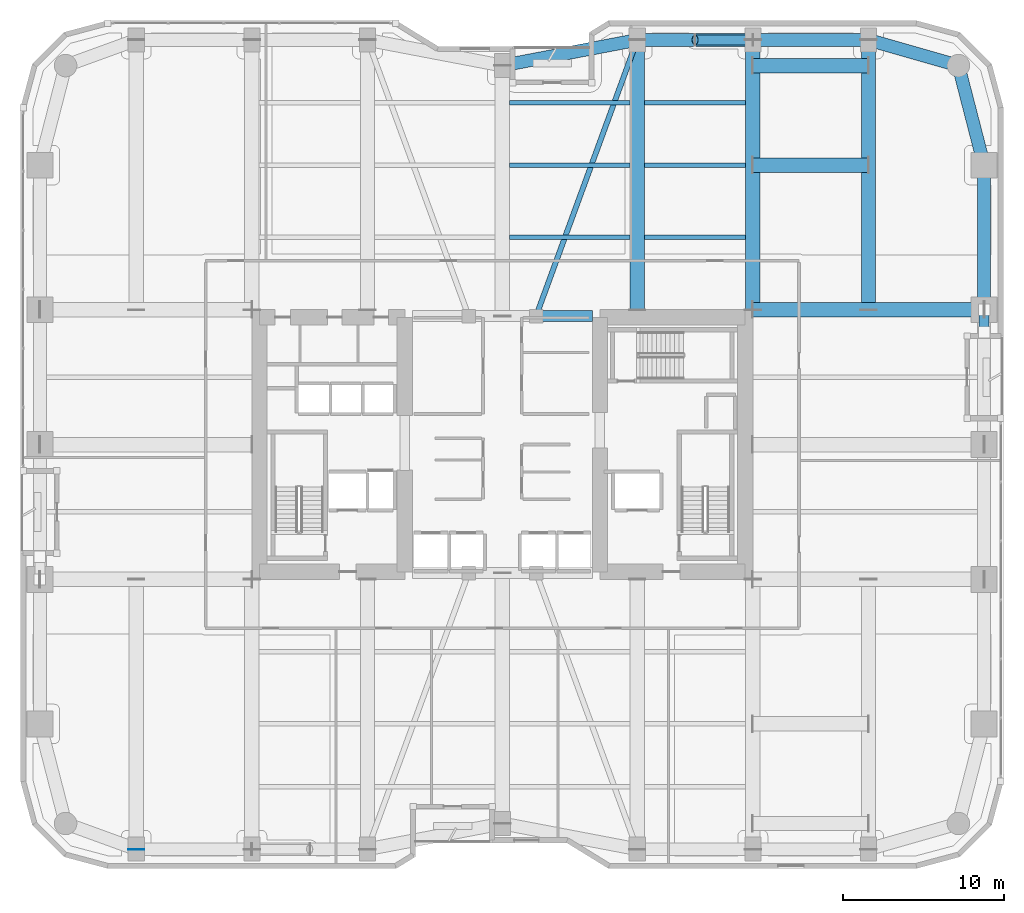
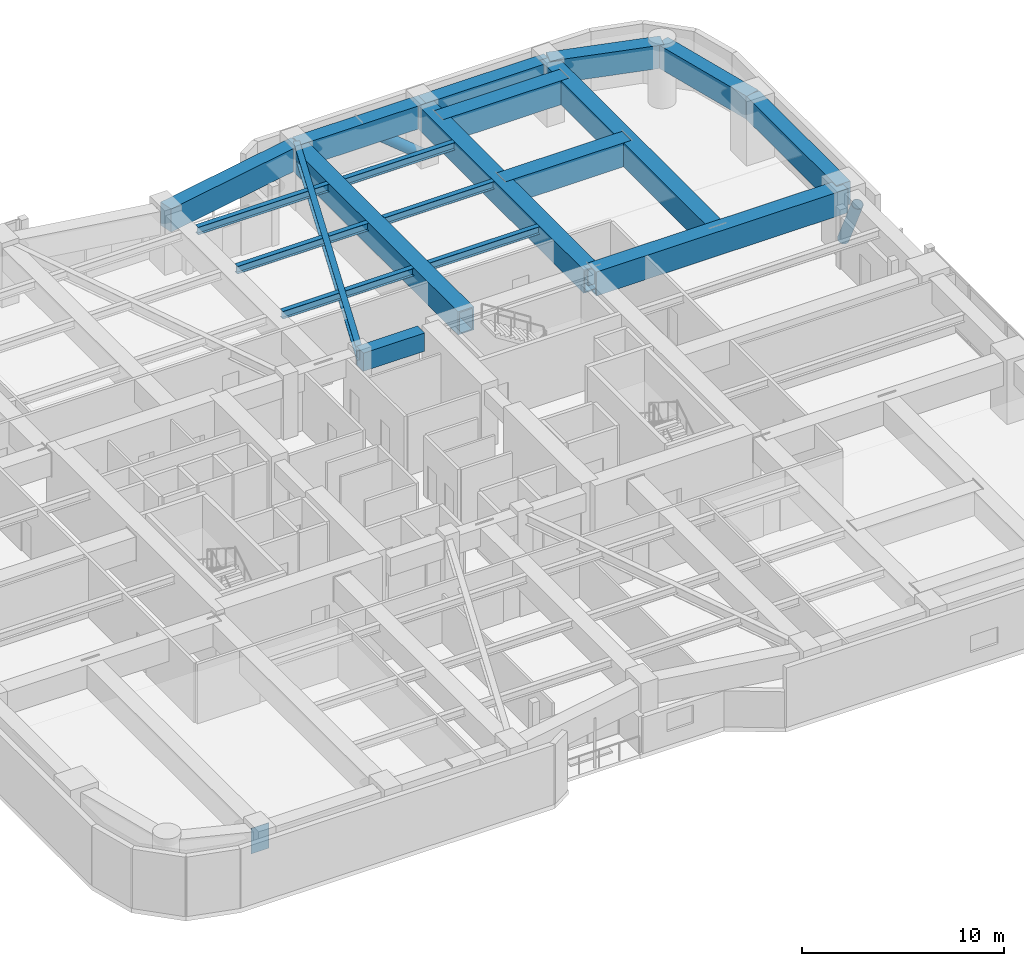
# One storey, part 18 of 28: 20 beams, 2 members, 1 plate.
"""IFC4 building model written with IfcOpenShell, lengths in metres."""

import ifcopenshell
import ifcopenshell.guid

model = None  # the IFC model being written
_history = None  # IfcOwnerHistory: only IFC2X3 demands one
_inside = {}  # id of a spatial element -> (the spatial element, [elements in it])
_under = {}  # id of a project, library or spatial element -> (it, [spatial elements below it])
_declared = {}  # id of a project -> (the project, [libraries it declares])
_typed = {}  # id of a type object -> (the type object, [elements of that type])
_made_of = {}  # id of a material, layer set ... -> (it, [elements and type objects made of it])


def new_model(schema):
    """Start an empty IFC model of exactly this schema.

    Asked for "IFC4X3", IfcOpenShell would pick the latest addendum, in which some entities
    have other attributes; the version numbers below select the first issue.
    IFC2X3 requires an IfcOwnerHistory on every rooted entity: one is made here for all.
    """
    global model, _history
    if schema == "IFC4X3":
        model = ifcopenshell.file(schema_version=(4, 3, 0, 0))
    else:
        model = ifcopenshell.file(schema=schema)
    _inside.clear()
    _under.clear()
    _declared.clear()
    _typed.clear()
    _made_of.clear()
    _history = None
    if model.schema == "IFC2X3":
        org = make("IfcOrganization", Name="unknown")
        user = make(
            "IfcPersonAndOrganization",
            ThePerson=make("IfcPerson", FamilyName="unknown"),
            TheOrganization=org,
        )
        app = make(
            "IfcApplication",
            ApplicationDeveloper=org,
            Version="unknown",
            ApplicationFullName="unknown",
            ApplicationIdentifier="unknown",
        )
        _history = make(
            "IfcOwnerHistory",
            OwningUser=user,
            OwningApplication=app,
            ChangeAction="ADDED",
            CreationDate=0,
        )
    return model


def make(cls, **values):
    """One entity of the class cls with the attributes given. An attribute that is None is left unset."""
    return model.create_entity(
        cls, **{name: value for name, value in values.items() if value is not None}
    )


def rooted(cls, **values):
    """An entity with a GlobalId (a new one), such as an element, a storey or a relation."""
    return make(cls, GlobalId=ifcopenshell.guid.new(), OwnerHistory=_history, **values)


def si_unit(unit_type, name, prefix=None):
    """IfcSIUnit, for example si_unit("LENGTHUNIT", "METRE", prefix="MILLI")."""
    return make("IfcSIUnit", UnitType=unit_type, Prefix=prefix, Name=name)


def assignment(units):
    """IfcUnitAssignment: the units of a project."""
    return None if units is None else make("IfcUnitAssignment", Units=units)


def point(xyz):
    """IfcCartesianPoint."""
    return None if xyz is None else make("IfcCartesianPoint", Coordinates=xyz)


def direction(xyz):
    """IfcDirection."""
    return None if xyz is None else make("IfcDirection", DirectionRatios=xyz)


def frame(location, z_axis=None, x_axis=None):
    """IfcAxis2Placement3D, a coordinate frame: its origin and axes. An axis left out is left unset."""
    return make(
        "IfcAxis2Placement3D",
        Location=point(location),
        Axis=direction(z_axis),
        RefDirection=direction(x_axis),
    )


def frame_2d(location, x_axis=None):
    """IfcAxis2Placement2D, a coordinate frame in the plane: its origin and x axis."""
    return make(
        "IfcAxis2Placement2D", Location=point(location), RefDirection=direction(x_axis)
    )


def origin():
    """The frame at (0, 0, 0) with its axes left unset."""
    return frame((0.0, 0.0, 0.0))


def origin_2d():
    """The frame at (0, 0) in the plane with its x axis left unset."""
    return frame_2d((0.0, 0.0))


def place(relative_to, where):
    """IfcLocalPlacement: puts the frame where relative to a parent placement (None: the world)."""
    return make(
        "IfcLocalPlacement", PlacementRelTo=relative_to, RelativePlacement=where
    )


def context(
    kind, dimensions, precision=None, world=None, true_north=None, identifier=None
):
    """IfcGeometricRepresentationContext, for example the 3D "Model" context."""
    return make(
        "IfcGeometricRepresentationContext",
        ContextIdentifier=identifier,
        ContextType=kind,
        CoordinateSpaceDimension=dimensions,
        Precision=precision,
        WorldCoordinateSystem=world,
        TrueNorth=true_north,
    )


def subcontext(parent, identifier, kind, view, scale=None):
    """IfcGeometricRepresentationSubContext, for example "Body" below "Model"."""
    return make(
        "IfcGeometricRepresentationSubContext",
        ContextIdentifier=identifier,
        ContextType=kind,
        ParentContext=parent,
        TargetScale=scale,
        TargetView=view,
    )


def project(units=None, contexts=None):
    """IfcProject with its units and contexts."""
    return rooted(
        "IfcProject",
        Name="project",
        RepresentationContexts=contexts,
        UnitsInContext=assignment(units),
    )


def spatial(cls, under=None, at=None, **own):
    """A site, building, storey or space (cls), placed at a placement, below another one or the project."""
    s = rooted(cls, ObjectPlacement=at, **own)
    if under is not None:
        _under.setdefault(under.id(), (under, []))[1].append(s)
    return s


def profile(cls, at=None, kind="AREA", **sizes):
    """A parametric profile (cls). Its sizes go by their IFC names, for example OverallWidth=200.0."""
    return make(cls, ProfileType=kind, Position=at, **sizes)


def rectangle(**sizes):
    """IfcRectangleProfileDef."""
    return profile("IfcRectangleProfileDef", **sizes)


def hollow_rectangle(**sizes):
    """IfcRectangleHollowProfileDef."""
    return profile("IfcRectangleHollowProfileDef", **sizes)


def hollow_circle(**sizes):
    """IfcCircleHollowProfileDef."""
    return profile("IfcCircleHollowProfileDef", **sizes)


def i_section(**sizes):
    """IfcIShapeProfileDef."""
    return profile("IfcIShapeProfileDef", **sizes)


def extrude(swept, where, along, depth):
    """IfcExtrudedAreaSolid: the profile swept, set in the frame where, extruded along a direction by depth."""
    return make(
        "IfcExtrudedAreaSolid",
        SweptArea=swept,
        Position=where,
        ExtrudedDirection=direction(along),
        Depth=depth,
    )


def shape(context_of_items, identifier, shape_type, items):
    """IfcShapeRepresentation: the items that make up one representation, for example the "Body"."""
    return make(
        "IfcShapeRepresentation",
        ContextOfItems=context_of_items,
        RepresentationIdentifier=identifier,
        RepresentationType=shape_type,
        Items=items,
    )


def material(Name=None, Category=None):
    """IfcMaterial."""
    return make("IfcMaterial", Name=Name, Category=Category)


def layer(
    of_material, thickness, ventilated=None, Name=None, Category=None, Priority=None
):
    """IfcMaterialLayer: one layer of a wall or slab, of a material (None: an air gap)."""
    return make(
        "IfcMaterialLayer",
        Material=of_material,
        LayerThickness=thickness,
        IsVentilated=ventilated,
        Name=Name,
        Category=Category,
        Priority=Priority,
    )


def layer_set(layers, Name=None):
    """IfcMaterialLayerSet."""
    return make("IfcMaterialLayerSet", MaterialLayers=layers, LayerSetName=Name)


def material_profile(
    of_material, cross_section, Name=None, Category=None, Priority=None
):
    """IfcMaterialProfile: a cross section and its material."""
    return make(
        "IfcMaterialProfile",
        Name=Name,
        Material=of_material,
        Profile=cross_section,
        Priority=Priority,
        Category=Category,
    )


def profile_set(profiles, Name=None, composite=None):
    """IfcMaterialProfileSet."""
    return make(
        "IfcMaterialProfileSet",
        Name=Name,
        MaterialProfiles=profiles,
        CompositeProfile=composite,
    )


def made_of(thing, what):
    """Note that an element or type object is made of a material, layer set ...; save() writes the relation."""
    if what is not None:
        _made_of.setdefault(what.id(), (what, []))[1].append(thing)
    return thing


def type_object(cls, material=None, **own):
    """A type object (cls), such as IfcWallType, which elements share."""
    return made_of(rooted(cls, **own), material)


def element(
    cls,
    number,
    at=None,
    inside=None,
    cuts=None,
    type_object=None,
    material=None,
    context=None,
    identifier="Body",
    shape_type=None,
    held_by="IfcProductDefinitionShape",
    body=None,
    shapes=None,
    **own,
):
    """One element of the class cls, such as IfcWall. Its Tag is "e" and its number.

    at: its placement. inside: the storey or other place that contains it. cuts: it is an
    opening in that element (IfcRelVoidsElement). A single representation is given by context,
    identifier, shape_type and body (its items); several are given by shapes. held_by: the class
    of the entity that holds the representations. save() writes the other relations.
    """
    e = rooted(cls, Tag="e%d" % number, ObjectPlacement=at, **own)
    if body is not None:
        shapes = [shape(context, identifier, shape_type, body)]
    if shapes is not None:
        e.Representation = make(held_by, Representations=shapes)
    if inside is not None:
        _inside.setdefault(inside.id(), (inside, []))[1].append(e)
    if cuts is not None:
        rooted(
            "IfcRelVoidsElement", RelatingBuildingElement=cuts, RelatedOpeningElement=e
        )
    if type_object is not None:
        _typed.setdefault(type_object.id(), (type_object, []))[1].append(e)
    return made_of(e, material)


def aggregate(whole, parts):
    """IfcRelAggregates: a whole, such as a stair, and the parts it consists of."""
    return rooted("IfcRelAggregates", RelatingObject=whole, RelatedObjects=parts)


def save(model, path):
    """Write the relations noted so far, then the file.

    IfcRelAggregates (storeys below a building ...), IfcRelContainedInSpatialStructure (elements
    in a storey), IfcRelDefinesByType, IfcRelAssociatesMaterial and IfcRelDeclares: one each for
    every whole, place, type object, material and project.
    """
    for whole, parts in _under.values():
        aggregate(whole, parts)
    for where, things in _inside.values():
        rooted(
            "IfcRelContainedInSpatialStructure",
            RelatedElements=things,
            RelatingStructure=where,
        )
    for kind, things in _typed.values():
        rooted("IfcRelDefinesByType", RelatedObjects=things, RelatingType=kind)
    for what, things in _made_of.values():
        rooted("IfcRelAssociatesMaterial", RelatedObjects=things, RelatingMaterial=what)
    for by, libraries in _declared.values():
        rooted("IfcRelDeclares", RelatingContext=by, RelatedDefinitions=libraries)
    model.write(path)


model = new_model("IFC4")

# Units and contexts
model_context = context("Model", 3, precision=1e-05, world=origin(), true_north=direction((0.0, 1.0)))
body_context = subcontext(model_context, "Body", "Model", "MODEL_VIEW")
ifc_project = project(units=[si_unit("LENGTHUNIT", "METRE"), si_unit("AREAUNIT", "SQUARE_METRE"), si_unit("VOLUMEUNIT", "CUBIC_METRE"), si_unit("PLANEANGLEUNIT", "RADIAN"), si_unit("MASSUNIT", "GRAM", prefix="KILO")], contexts=[model_context])

# Site, building, storey
site_placement = place(None, origin())
site = spatial("IfcSite", under=ifc_project, at=site_placement, CompositionType="ELEMENT")
building_placement = place(site_placement, origin())
building = spatial("IfcBuilding", under=site, at=building_placement, Name="Kiyonajd Concourse Tower", CompositionType="ELEMENT")
storey_placement = place(building_placement, frame((0.0, 0.0, 76.800048828125)))
storey = spatial("IfcBuildingStorey", under=building, at=storey_placement, Name="L20", CompositionType="ELEMENT", Elevation=76.800048828125)

# Beams
ifc_material_1 = material(Name="Concrete C70/85", Category="concrete")
ifc_material_profile_1 = material_profile(ifc_material_1, rectangle(XDim=0.699951171875, YDim=1.10009765625, at=origin_2d()), Name="RCBM-700x1100")
ifc_profile_set_1 = profile_set([ifc_material_profile_1], Name="Concrete C70/85")
beam_type_1 = type_object("IfcBeamType", Name="BM-COUP-1100", PredefinedType="LINTEL", material=ifc_profile_set_1)
beam_1_placement = place(storey_placement, frame((50.10009765625, 44.0, 3.050048828125), z_axis=(1.0, 0.0, 0.0), x_axis=(0.0, 1.0, 0.0)))
element("IfcBeam", 1, at=beam_1_placement, inside=storey, type_object=beam_type_1, Name="L20 Core Coupling Beam N3", PredefinedType="LINTEL", context=body_context, shape_type="SweptSolid", body=[
    extrude(rectangle(XDim=0.699951171875, YDim=1.10009765625, at=origin_2d()), origin(), (0.0, 0.0, 1.0), 3.5),
])
ifc_material_2 = material(Name="Steel ASTM A992 Grade 50", Category="steel")
ifc_material_profile_2 = material_profile(ifc_material_2, i_section(OverallWidth=0.280029296875, OverallDepth=0.462890625, WebThickness=0.0107421875, FlangeThickness=0.017333984375, at=origin_2d()), Name="W460X113")
ifc_profile_set_2 = profile_set([ifc_material_profile_2], Name="Steel ASTM A992 Grade 50")
beam_type_2 = type_object("IfcBeamType", Name="BM-JST-460A", PredefinedType="JOIST", material=ifc_profile_set_2)
beam_2_placement = place(storey_placement, frame((48.449951171875, 48.89990234375, 3.368408203125), z_axis=(1.0, 0.0, 0.0), x_axis=(0.0, 1.0, 0.0)))
element("IfcBeam", 2, at=beam_2_placement, inside=storey, type_object=beam_type_2, Name="L20 Secondary Floor Joist", PredefinedType="JOIST", context=body_context, shape_type="SweptSolid", body=[
    extrude(i_section(OverallWidth=0.280029296875, OverallDepth=0.462890625, WebThickness=0.0107421875, FlangeThickness=0.017333984375, at=origin_2d()), origin(), (0.0, 0.0, 1.0), 7.5),
])
beam_3_placement = place(storey_placement, frame((56.85009765625, 48.89990234375, 3.368408203125), z_axis=(1.0, 0.0, 0.0), x_axis=(0.0, 1.0, 0.0)))
element("IfcBeam", 3, at=beam_3_placement, inside=storey, type_object=beam_type_2, Name="L20 Secondary Floor Joist", PredefinedType="JOIST", context=body_context, shape_type="SweptSolid", body=[
    extrude(i_section(OverallWidth=0.280029296875, OverallDepth=0.462890625, WebThickness=0.0107421875, FlangeThickness=0.017333984375, at=origin_2d()), origin(), (0.0, 0.0, 1.0), 6.2998046875),
])
beam_4_placement = place(storey_placement, frame((48.449951171875, 53.39990234375, 3.368408203125), z_axis=(1.0, 0.0, 0.0), x_axis=(0.0, 1.0, 0.0)))
element("IfcBeam", 4, at=beam_4_placement, inside=storey, type_object=beam_type_2, Name="L20 Secondary Floor Joist", PredefinedType="JOIST", context=body_context, shape_type="SweptSolid", body=[
    extrude(i_section(OverallWidth=0.280029296875, OverallDepth=0.462890625, WebThickness=0.0107421875, FlangeThickness=0.017333984375, at=origin_2d()), origin(), (0.0, 0.0, 1.0), 7.5),
])
beam_5_placement = place(storey_placement, frame((56.85009765625, 53.39990234375, 3.368408203125), z_axis=(1.0, 0.0, 0.0), x_axis=(0.0, 1.0, 0.0)))
element("IfcBeam", 5, at=beam_5_placement, inside=storey, type_object=beam_type_2, Name="L20 Secondary Floor Joist", PredefinedType="JOIST", context=body_context, shape_type="SweptSolid", body=[
    extrude(i_section(OverallWidth=0.280029296875, OverallDepth=0.462890625, WebThickness=0.0107421875, FlangeThickness=0.017333984375, at=origin_2d()), origin(), (0.0, 0.0, 1.0), 6.2998046875),
])
beam_6_placement = place(storey_placement, frame((48.449951171875, 57.300048828125, 3.368408203125), z_axis=(1.0, 0.0, 0.0), x_axis=(0.0, 1.0, 0.0)))
element("IfcBeam", 6, at=beam_6_placement, inside=storey, type_object=beam_type_2, Name="L20 Secondary Floor Joist", PredefinedType="JOIST", context=body_context, shape_type="SweptSolid", body=[
    extrude(i_section(OverallWidth=0.280029296875, OverallDepth=0.462890625, WebThickness=0.0107421875, FlangeThickness=0.017333984375, at=origin_2d()), origin(), (0.0, 0.0, 1.0), 7.5),
])
beam_7_placement = place(storey_placement, frame((56.85009765625, 57.300048828125, 3.368408203125), z_axis=(1.0, 0.0, 0.0), x_axis=(0.0, 1.0, 0.0)))
element("IfcBeam", 7, at=beam_7_placement, inside=storey, type_object=beam_type_2, Name="L20 Secondary Floor Joist", PredefinedType="JOIST", context=body_context, shape_type="SweptSolid", body=[
    extrude(i_section(OverallWidth=0.280029296875, OverallDepth=0.462890625, WebThickness=0.0107421875, FlangeThickness=0.017333984375, at=origin_2d()), origin(), (0.0, 0.0, 1.0), 6.2998046875),
])
ifc_material_profile_3 = material_profile(ifc_material_2, i_section(OverallWidth=0.326904296875, OverallDepth=0.6220703125, WebThickness=0.015380859375, FlangeThickness=0.0244140625, at=origin_2d()), Name="W610X195")
ifc_profile_set_3 = profile_set([ifc_material_profile_3], Name="Steel ASTM A992 Grade 50")
beam_type_3 = type_object("IfcBeamType", Name="BM-TWR-610A", PredefinedType="BEAM", material=ifc_profile_set_3)
beam_8_placement = place(storey_placement, frame((50.10009765625, 44.0, 3.2890625), z_axis=(0.343925269715, 0.938997022813, 0.0), x_axis=(-0.938997022813, 0.343925269715, 0.0)))
element("IfcBeam", 8, at=beam_8_placement, inside=storey, type_object=beam_type_3, Name="L20 Core Tie Girder", PredefinedType="BEAM", context=body_context, shape_type="SweptSolid", body=[
    extrude(i_section(OverallWidth=0.326904296875, OverallDepth=0.6220703125, WebThickness=0.015380859375, FlangeThickness=0.0244140625, at=origin_2d()), origin(), (0.0, 0.0, 1.0), 18.3173828125),
])
ifc_material_3 = material(Name="Steel ASTM A572 Grade 50", Category="steel")
ifc_material_profile_4 = material_profile(ifc_material_3, hollow_rectangle(XDim=0.89990234375, YDim=1.39990234375, WallThickness=0.070068359375, at=origin_2d()), Name="BOX-1400x900x70")
ifc_profile_set_4 = profile_set([ifc_material_profile_4], Name="Steel ASTM A572 Grade 50")
beam_type_4 = type_object("IfcBeamType", Name="BM-XFER-1400", PredefinedType="BEAM", material=ifc_profile_set_4)
for number, where, z_axis, x_axis, name in (
    (9, (56.39990234375, 44.39990234375, 2.89990234375), (0.0, 1.0, 0.0), (-1.0, 0.0, 0.0), "L20 North Lease Girder"),
    (10, (63.60009765625, 44.39990234375, 2.89990234375), (0.0, 1.0, 0.0), (-1.0, 0.0, 0.0), "L20 North Lease Girder"),
):
    element("IfcBeam", number, at=place(storey_placement, frame(where, z_axis=z_axis, x_axis=x_axis)), inside=storey, type_object=beam_type_4, Name=name, PredefinedType="BEAM", context=body_context, shape_type="SweptSolid", body=[
        extrude(hollow_rectangle(XDim=0.89990234375, YDim=1.39990234375, WallThickness=0.070068359375, at=origin_2d()), origin(), (0.0, 0.0, 1.0), 16.800048828125),
    ])
ifc_material_profile_5 = material_profile(ifc_material_3, hollow_rectangle(XDim=0.89990234375, YDim=1.449951171875, WallThickness=0.074951171875, at=origin_2d()), Name="BOX-1450x900x75")
ifc_profile_set_5 = profile_set([ifc_material_profile_5], Name="Steel ASTM A572 Grade 50")
beam_type_5 = type_object("IfcBeamType", Name="BM-XFER-1800", PredefinedType="BEAM", material=ifc_profile_set_5)
beam_9_placement = place(storey_placement, frame((70.800048828125, 44.39990234375, 2.875), z_axis=(0.0, 1.0, 0.0), x_axis=(-1.0, 0.0, 0.0)))
element("IfcBeam", 11, at=beam_9_placement, inside=storey, type_object=beam_type_5, Name="L20 North Lease Girder", PredefinedType="BEAM", context=body_context, shape_type="SweptSolid", body=[
    extrude(hollow_rectangle(XDim=0.89990234375, YDim=1.449951171875, WallThickness=0.074951171875, at=origin_2d()), origin(), (0.0, 0.0, 1.0), 16.800048828125),
])
beam_10_placement = place(storey_placement, frame((63.60009765625, 44.39990234375, 2.875), z_axis=(1.0, 0.0, 0.0), x_axis=(0.0, 1.0, 0.0)))
element("IfcBeam", 12, at=beam_10_placement, inside=storey, type_object=beam_type_5, Name="L20 East Lease Girder", PredefinedType="BEAM", context=body_context, shape_type="SweptSolid", body=[
    extrude(hollow_rectangle(XDim=0.89990234375, YDim=1.449951171875, WallThickness=0.074951171875, at=origin_2d()), origin(), (0.0, 0.0, 1.0), 14.39990234375),
])
for number, where, z_axis, x_axis, name in (
    (13, (63.60009765625, 59.60009765625, 2.875), (1.0, 0.0, 0.0), (0.0, 1.0, 0.0), "L20 Column Transfer Girder"),
    (14, (63.60009765625, 53.39990234375, 2.875), (1.0, 0.0, 0.0), (0.0, 1.0, 0.0), "L20 Column Transfer Girder"),
):
    element("IfcBeam", number, at=place(storey_placement, frame(where, z_axis=z_axis, x_axis=x_axis)), inside=storey, type_object=beam_type_5, Name=name, PredefinedType="BEAM", context=body_context, shape_type="SweptSolid", body=[
        extrude(hollow_rectangle(XDim=0.89990234375, YDim=1.449951171875, WallThickness=0.074951171875, at=origin_2d()), origin(), (0.0, 0.0, 1.0), 7.199951171875),
    ])
ifc_material_4 = material(Name="Concrete C60/75", Category="concrete")
ifc_material_profile_6 = material_profile(ifc_material_4, rectangle(XDim=0.800048828125, YDim=1.39990234375, at=origin_2d()), Name="RCBM-800x1400")
ifc_profile_set_6 = profile_set([ifc_material_profile_6], Name="Concrete C60/75")
beam_type_6 = type_object("IfcBeamType", Name="BM-XFER-RC", PredefinedType="BEAM", material=ifc_profile_set_6)
beam_11_placement = place(storey_placement, frame((78.0, 44.39990234375, 2.9599609375), z_axis=(0.0, 1.0, 0.0), x_axis=(-1.0, 0.0, 0.0)))
element("IfcBeam", 15, at=beam_11_placement, inside=storey, type_object=beam_type_6, Name="L20 Perimeter Bundled Tube Spandrel", PredefinedType="BEAM", context=body_context, shape_type="SweptSolid", body=[
    extrude(rectangle(XDim=0.800048828125, YDim=1.39990234375, at=origin_2d()), origin(), (0.0, 0.0, 1.0), 9.0),
])
beam_12_placement = place(storey_placement, frame((78.0, 53.39990234375, 2.9599609375), z_axis=(-0.249884937687, 0.968275538221, 0.0), x_axis=(-0.968275538221, -0.249884937687, 0.0)))
element("IfcBeam", 16, at=beam_12_placement, inside=storey, type_object=beam_type_6, Name="L20 Perimeter Bundled Tube Spandrel", PredefinedType="BEAM", context=body_context, shape_type="SweptSolid", body=[
    extrude(rectangle(XDim=0.800048828125, YDim=1.39990234375, at=origin_2d()), origin(), (0.0, 0.0, 1.0), 6.4033203125),
])
beam_13_placement = place(storey_placement, frame((76.39990234375, 59.60009765625, 2.9599609375), z_axis=(-0.961528693205, 0.274704517878, 0.0), x_axis=(-0.274704517878, -0.961528693205, 0.0)))
element("IfcBeam", 17, at=beam_13_placement, inside=storey, type_object=beam_type_6, Name="L20 Perimeter Bundled Tube Spandrel", PredefinedType="BEAM", context=body_context, shape_type="SweptSolid", body=[
    extrude(rectangle(XDim=0.800048828125, YDim=1.39990234375, at=origin_2d()), origin(), (0.0, 0.0, 1.0), 5.823974609375),
])
beam_14_placement = place(storey_placement, frame((70.800048828125, 61.199951171875, 2.89990234375), z_axis=(-1.0, 0.0, 0.0), x_axis=(0.0, -1.0, 0.0)))
element("IfcBeam", 18, at=beam_14_placement, inside=storey, type_object=beam_type_6, Name="L20 Perimeter Bundled Tube Spandrel", PredefinedType="BEAM", context=body_context, shape_type="SweptSolid", body=[
    extrude(rectangle(XDim=0.800048828125, YDim=1.39990234375, at=origin_2d()), origin(), (0.0, 0.0, 1.0), 7.199951171875),
])
beam_15_placement = place(storey_placement, frame((63.60009765625, 61.199951171875, 2.89990234375), z_axis=(-1.0, 0.0, 0.0), x_axis=(0.0, -1.0, 0.0)))
element("IfcBeam", 19, at=beam_15_placement, inside=storey, type_object=beam_type_6, Name="L20 Perimeter Bundled Tube Spandrel", PredefinedType="BEAM", context=body_context, shape_type="SweptSolid", body=[
    extrude(rectangle(XDim=0.800048828125, YDim=1.39990234375, at=origin_2d()), origin(), (0.0, 0.0, 1.0), 7.2001953125),
])
beam_16_placement = place(storey_placement, frame((56.39990234375, 61.199951171875, 2.89990234375), z_axis=(-0.982341315253, -0.187097675953, 0.0), x_axis=(0.187097675953, -0.982341315253, 0.0)))
element("IfcBeam", 20, at=beam_16_placement, inside=storey, type_object=beam_type_6, Name="L20 Perimeter Bundled Tube Spandrel", PredefinedType="BEAM", context=body_context, shape_type="SweptSolid", body=[
    extrude(rectangle(XDim=0.800048828125, YDim=1.39990234375, at=origin_2d()), origin(), (0.0, 0.0, 1.0), 8.55078125),
])

# Members
ifc_material_profile_7 = material_profile(ifc_material_3, hollow_circle(Radius=0.304931640625, WallThickness=0.02490234375, at=origin_2d()), Name="CHS-610x25")
ifc_profile_set_7 = profile_set([ifc_material_profile_7], Name="Steel ASTM A572 Grade 50")
member_type = type_object("IfcMemberType", Name="MB-PB-LOW", PredefinedType="BRACE", material=ifc_profile_set_7)
member_1_placement = place(storey_placement, frame((63.60009765625, 61.199951171875, 0.300048828125), z_axis=(-0.773492012438, 0.0, 0.633806048168), x_axis=(0.0, -1.0, 0.0)))
element("IfcMember", 21, at=member_1_placement, inside=storey, type_object=member_type, Name="L20 Lower Zone Welded Tube Brace PBN", PredefinedType="BRACE", context=body_context, shape_type="SweptSolid", body=[
    extrude(hollow_circle(Radius=0.304931640625, WallThickness=0.02490234375, at=origin_2d()), origin(), (0.0, 0.0, 1.0), 4.654296875),
])
member_2_placement = place(storey_placement, frame((78.0, 44.39990234375, 0.300048828125), z_axis=(0.0, -0.428725834465, 0.903434645595), x_axis=(1.0, 0.0, 0.0)))
element("IfcMember", 22, at=member_2_placement, inside=storey, type_object=member_type, Name="L20 Lower Zone Welded Tube Brace PBE", PredefinedType="BRACE", context=body_context, shape_type="SweptSolid", body=[
    extrude(hollow_circle(Radius=0.304931640625, WallThickness=0.02490234375, at=origin_2d()), origin(), (0.0, 0.0, 1.0), 3.265380859375),
])

# Plate
ifc_layer = layer(ifc_material_3, 0.031982421875)
ifc_layer_set = layer_set([ifc_layer], Name="Steel ASTM A572 Grade 50")
plate_type = type_object("IfcPlateType", Name="PL-CAP-540", PredefinedType="USERDEFINED", material=ifc_layer_set)
plate_placement = place(storey_placement, frame((25.199951171875, 10.7890625, 2.1298828125), z_axis=(0.0, 0.0, 1.0), x_axis=(0.0, -1.0, 0.0)))
element("IfcPlate", 23, at=plate_placement, inside=storey, type_object=plate_type, Name="L20 Welded Box Girder End Cap", ObjectType="CAP PLATE", PredefinedType="USERDEFINED", context=body_context, shape_type="SweptSolid", body=[
    extrude(rectangle(XDim=0.035888671875, YDim=1.02001953125, at=origin_2d()), origin(), (0.0, 0.0, 1.0), 1.5400390625),
])

save(model, "model.ifc")
